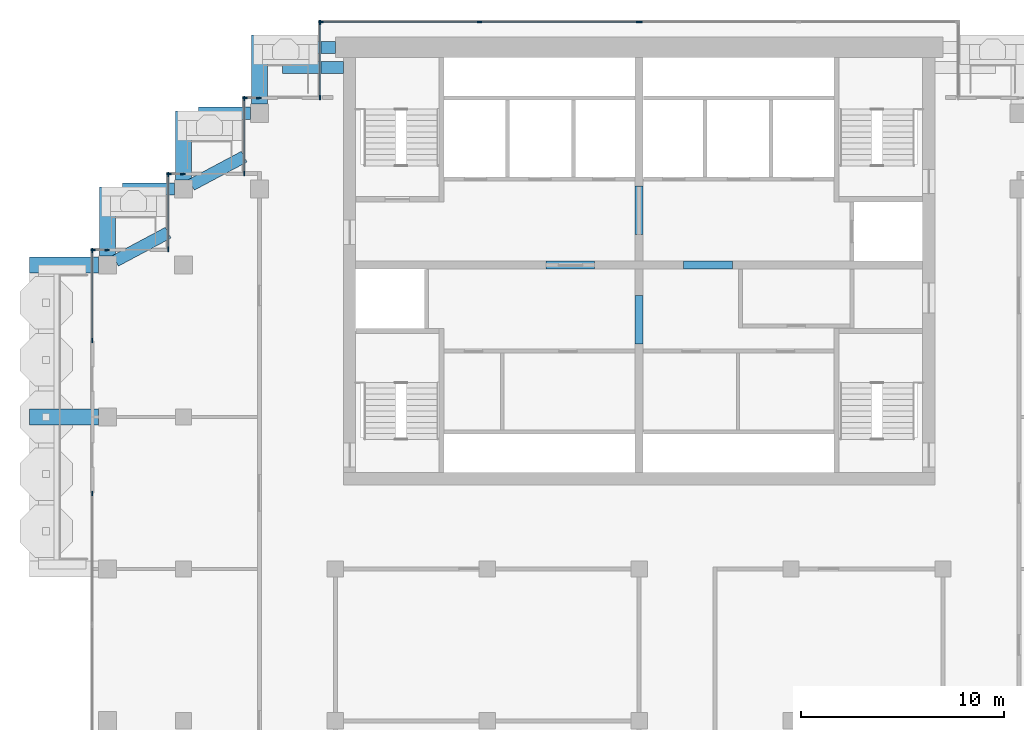
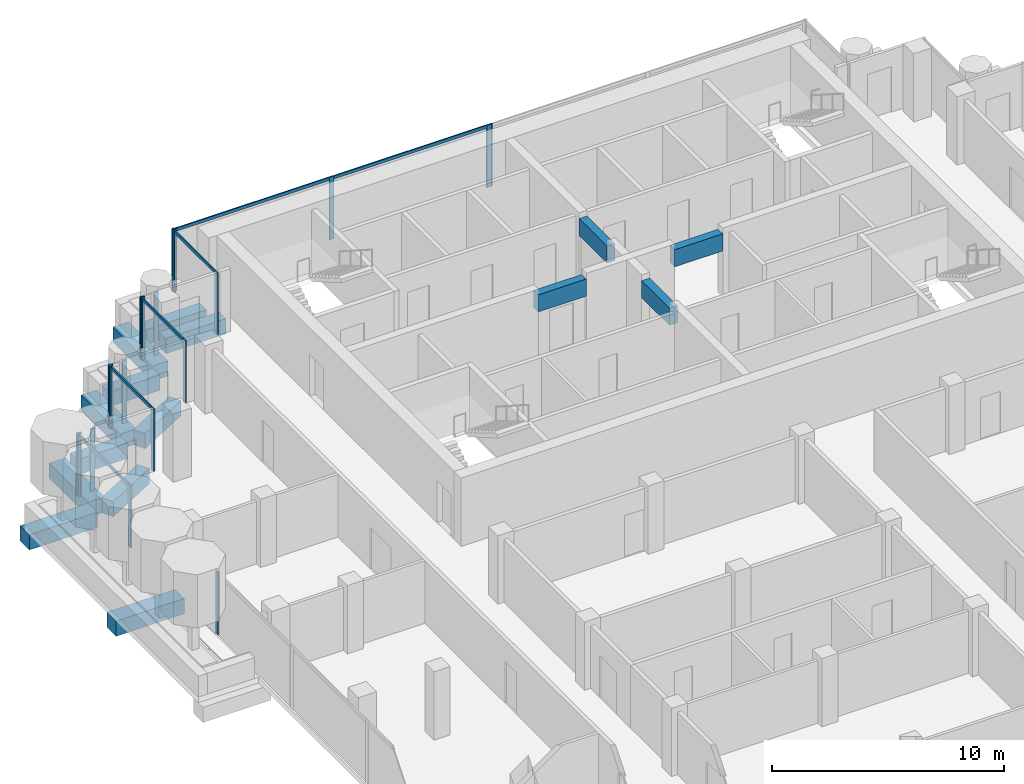
# One storey, part 5 of 18: 25 members, 15 beams, 10 elements without a shape of their own.
"""IFC4 building model written with IfcOpenShell, lengths in metres."""

from ifc_helpers import new_model, si_unit, direction, frame, origin, origin_2d, place, context, subcontext, project, spatial, rectangle, extrude, material, material_profile, profile_set, type_object, element, aggregate, save


model = new_model("IFC4")

# Units and contexts
model_context = context("Model", 3, precision=1e-05, world=origin(), true_north=direction((0.0, 1.0)))
body_context = subcontext(model_context, "Body", "Model", "MODEL_VIEW")
ifc_project = project(units=[si_unit("LENGTHUNIT", "METRE"), si_unit("AREAUNIT", "SQUARE_METRE"), si_unit("VOLUMEUNIT", "CUBIC_METRE"), si_unit("PLANEANGLEUNIT", "RADIAN"), si_unit("MASSUNIT", "GRAM", prefix="KILO")], contexts=[model_context])

# Site, building, storey
site_placement = place(None, origin())
site = spatial("IfcSite", under=ifc_project, at=site_placement, CompositionType="ELEMENT")
building_placement = place(site_placement, origin())
building = spatial("IfcBuilding", under=site, at=building_placement, Name="Pilkhan Gate Tower", CompositionType="ELEMENT")
storey_placement = place(building_placement, frame((0.0, 0.0, 242.699951171875)))
storey = spatial("IfcBuildingStorey", under=building, at=storey_placement, Name="L63", CompositionType="ELEMENT", Elevation=242.699951171875)

# Beams
ifc_material_1 = material(Name="Concrete C50/60", Category="concrete")
ifc_material_profile_1 = material_profile(ifc_material_1, rectangle(XDim=0.60009765625, YDim=0.800048828125, at=origin_2d()), Name="RC 600x800")
ifc_profile_set_1 = profile_set([ifc_material_profile_1], Name="Concrete C50/60")
beam_type_1 = type_object("IfcBeamType", Name="Cantilever beam CB1 RC 600x800 C50/60", PredefinedType="BEAM", material=ifc_profile_set_1)
for number, where, z_axis, x_axis, name in (
    (1, (60.0, 93.25, -0.699951171875), (-1.0, 0.0, 0.0), (0.0, -1.0, 0.0), "Balcony beam NW.2 L63"),
    (2, (60.39990234375, 92.25, -0.699951171875), (-1.0, 0.0, 0.0), (0.0, -1.0, 0.0), "Balcony beam NW.3 L63"),
):
    element("IfcBeam", number, at=place(storey_placement, frame(where, z_axis=z_axis, x_axis=x_axis)), inside=storey, type_object=beam_type_1, Name=name, PredefinedType="BEAM", context=body_context, shape_type="SweptSolid", body=[
        extrude(rectangle(XDim=0.60009765625, YDim=0.800048828125, at=origin_2d()), origin(), (0.0, 0.0, 1.0), 3.0),
    ])
beam_1_placement = place(storey_placement, frame((55.800048828125, 90.0, -0.699951171875), z_axis=(-1.0, 0.0, 0.0), x_axis=(0.0, -1.0, 0.0)))
element("IfcBeam", 3, at=beam_1_placement, inside=storey, type_object=beam_type_1, Name="Balcony beam NW1.2 L63", PredefinedType="BEAM", context=body_context, shape_type="SweptSolid", body=[
    extrude(rectangle(XDim=0.60009765625, YDim=0.800048828125, at=origin_2d()), origin(), (0.0, 0.0, 1.0), 2.550048828125),
])
beam_2_placement = place(storey_placement, frame((52.89697265625, 86.461669921875, -0.699951171875), z_axis=(0.882332323202, 0.470626891957, 0.0), x_axis=(-0.470626891957, 0.882332323202, 0.0)))
element("IfcBeam", 4, at=beam_2_placement, inside=storey, type_object=beam_type_1, Name="Balcony beam NW1.3 L63", PredefinedType="BEAM", context=body_context, shape_type="SweptSolid", body=[
    extrude(rectangle(XDim=0.60009765625, YDim=0.800048828125, at=origin_2d()), origin(), (0.0, 0.0, 1.0), 2.9501953125),
])
beam_3_placement = place(storey_placement, frame((52.050048828125, 86.25, -0.699951171875), z_axis=(-1.0, 0.0, 0.0), x_axis=(0.0, -1.0, 0.0)))
element("IfcBeam", 5, at=beam_3_placement, inside=storey, type_object=beam_type_1, Name="Balcony beam NW2.2 L63", PredefinedType="BEAM", context=body_context, shape_type="SweptSolid", body=[
    extrude(rectangle(XDim=0.60009765625, YDim=0.800048828125, at=origin_2d()), origin(), (0.0, 0.0, 1.0), 2.550048828125),
])
beam_4_placement = place(storey_placement, frame((49.14697265625, 82.711669921875, -0.699951171875), z_axis=(0.882332323202, 0.470626891957, 0.0), x_axis=(-0.470626891957, 0.882332323202, 0.0)))
element("IfcBeam", 6, at=beam_4_placement, inside=storey, type_object=beam_type_1, Name="Balcony beam NW2.3 L63", PredefinedType="BEAM", context=body_context, shape_type="SweptSolid", body=[
    extrude(rectangle(XDim=0.60009765625, YDim=0.800048828125, at=origin_2d()), origin(), (0.0, 0.0, 1.0), 2.9501953125),
])
ifc_material_profile_2 = material_profile(ifc_material_1, rectangle(XDim=0.800048828125, YDim=0.800048828125, at=origin_2d()), Name="RC 800x800")
ifc_profile_set_2 = profile_set([ifc_material_profile_2], Name="Concrete C50/60")
beam_type_2 = type_object("IfcBeamType", Name="Cantilever beam CB2 RC 800x800 C50/60", PredefinedType="BEAM", material=ifc_profile_set_2)
for number, where, z_axis, x_axis, name in (
    (7, (56.25, 90.449951171875, -0.699951171875), (0.0, 1.0, 0.0), (-1.0, 0.0, 0.0), "Balcony beam NW.1 L63"),
    (8, (52.5, 86.699951171875, -0.699951171875), (0.0, 1.0, 0.0), (-1.0, 0.0, 0.0), "Balcony beam NW1.1 L63"),
    (9, (48.75, 82.949951171875, -0.699951171875), (0.0, 1.0, 0.0), (-1.0, 0.0, 0.0), "Balcony beam NW2.1 L63"),
    (10, (48.300048828125, 75.0, -0.699951171875), (-1.0, 0.0, 0.0), (0.0, -1.0, 0.0), "Balcony beam W.2 L63"),
    (11, (48.300048828125, 82.5, -0.699951171875), (-1.0, 0.0, 0.0), (0.0, -1.0, 0.0), "Balcony beam W.3 L63"),
):
    element("IfcBeam", number, at=place(storey_placement, frame(where, z_axis=z_axis, x_axis=x_axis)), inside=storey, type_object=beam_type_2, Name=name, PredefinedType="BEAM", context=body_context, shape_type="SweptSolid", body=[
        extrude(rectangle(XDim=0.800048828125, YDim=0.800048828125, at=origin_2d()), origin(), (0.0, 0.0, 1.0), 3.400146484375),
    ])
ifc_material_profile_3 = material_profile(ifc_material_1, rectangle(XDim=0.39990234375, YDim=0.89990234375, at=origin_2d()), Name="RC 400x900")
ifc_profile_set_3 = profile_set([ifc_material_profile_3], Name="Concrete C50/60")
beam_type_3 = type_object("IfcBeamType", Name="Coupling beam CB90-4 RC 400x900 C50/60", PredefinedType="LINTEL", material=ifc_profile_set_3)
for number, where, z_axis, x_axis, name in (
    (12, (70.39990234375, 82.5, 2.85009765625), (1.0, 0.0, 0.0), (0.0, 1.0, 0.0), "Coupling beam 1 L63"),
    (13, (77.199951171875, 82.5, 2.85009765625), (1.0, 0.0, 0.0), (0.0, 1.0, 0.0), "Coupling beam 2 L63"),
):
    element("IfcBeam", number, at=place(storey_placement, frame(where, z_axis=z_axis, x_axis=x_axis)), inside=storey, type_object=beam_type_3, Name=name, PredefinedType="LINTEL", context=body_context, shape_type="SweptSolid", body=[
        extrude(rectangle(XDim=0.39990234375, YDim=0.89990234375, at=origin_2d()), origin(), (0.0, 0.0, 1.0), 2.400146484375),
    ])
for number, where, z_axis, x_axis, name in (
    (14, (75.0, 78.60009765625, 2.85009765625), (0.0, 1.0, 0.0), (-1.0, 0.0, 0.0), "Coupling beam 3 L63"),
    (15, (75.0, 84.0, 2.85009765625), (0.0, 1.0, 0.0), (-1.0, 0.0, 0.0), "Coupling beam 4 L63"),
):
    element("IfcBeam", number, at=place(storey_placement, frame(where, z_axis=z_axis, x_axis=x_axis)), inside=storey, type_object=beam_type_3, Name=name, PredefinedType="LINTEL", context=body_context, shape_type="SweptSolid", body=[
        extrude(rectangle(XDim=0.39990234375, YDim=0.89990234375, at=origin_2d()), origin(), (0.0, 0.0, 1.0), 2.39990234375),
    ])

# Curtain wall, members
ifc_material_2 = material(Name="Pale anodised aluminium, clear low-iron double glazing", Category="aluminium")
curtain_wall_type = type_object("IfcCurtainWallType", Name="Office unitised curtain wall CW-O2", PredefinedType="USERDEFINED", material=ifc_material_2)
curtain_wall_1_placement = place(storey_placement, origin())
curtain_wall_1 = element("IfcCurtainWall", 16, at=curtain_wall_1_placement, inside=storey, type_object=curtain_wall_type, Name="Office unitised curtain wall CW-O2 L63 N", ObjectType="UNITISED CURTAIN WALL", PredefinedType="USERDEFINED")
ifc_material_3 = material(Name="Pale anodised aluminium", Category="aluminium")
ifc_material_profile_4 = material_profile(ifc_material_3, rectangle(XDim=0.06494140625, YDim=0.22509765625, at=origin_2d()), Name="Mullion 225x65")
ifc_profile_set_4 = profile_set([ifc_material_profile_4], Name="Pale anodised aluminium")
member_type_1 = type_object("IfcMemberType", Name="Mullion CW-O2 225x65", PredefinedType="MULLION", material=ifc_profile_set_4)
member_1_placement = place(storey_placement, frame((59.282470703125, 94.5, 0.0), z_axis=(0.0, 0.0, 1.0), x_axis=(0.0, 1.0, 0.0)))
member_1 = element("IfcMember", 17, at=member_1_placement, type_object=member_type_1, Name="CW-O2 mullion 1", PredefinedType="MULLION", context=body_context, shape_type="SweptSolid", body=[
    extrude(rectangle(XDim=0.06494140625, YDim=0.22509765625, at=origin_2d()), origin(), (0.0, 0.0, 1.0), 3.300048828125),
])
member_2_placement = place(storey_placement, frame((67.125, 94.5, 0.0), z_axis=(0.0, 0.0, 1.0), x_axis=(0.0, 1.0, 0.0)))
member_2 = element("IfcMember", 18, at=member_2_placement, type_object=member_type_1, Name="CW-O2 mullion 2", PredefinedType="MULLION", context=body_context, shape_type="SweptSolid", body=[
    extrude(rectangle(XDim=0.06494140625, YDim=0.22509765625, at=origin_2d()), origin(), (0.0, 0.0, 1.0), 3.300048828125),
])
member_3_placement = place(storey_placement, frame((74.967529296875, 94.5, 0.0), z_axis=(0.0, 0.0, 1.0), x_axis=(0.0, 1.0, 0.0)))
member_3 = element("IfcMember", 19, at=member_3_placement, type_object=member_type_1, Name="CW-O2 mullion 3", PredefinedType="MULLION", context=body_context, shape_type="SweptSolid", body=[
    extrude(rectangle(XDim=0.06494140625, YDim=0.22509765625, at=origin_2d()), origin(), (0.0, 0.0, 1.0), 3.300048828125),
])

# Curtain wall, member
curtain_wall_2_placement = place(storey_placement, origin())
curtain_wall_2 = element("IfcCurtainWall", 20, at=curtain_wall_2_placement, inside=storey, type_object=curtain_wall_type, Name="Office unitised curtain wall CW-O2 L63 N", ObjectType="UNITISED CURTAIN WALL", PredefinedType="USERDEFINED")
member_4_placement = place(storey_placement, frame((75.032470703125, 94.5, 0.0), z_axis=(0.0, 0.0, 1.0), x_axis=(0.0, 1.0, 0.0)))
member_4 = element("IfcMember", 21, at=member_4_placement, type_object=member_type_1, Name="CW-O2 mullion 1", PredefinedType="MULLION", context=body_context, shape_type="SweptSolid", body=[
    extrude(rectangle(XDim=0.06494140625, YDim=0.22509765625, at=origin_2d()), origin(), (0.0, 0.0, 1.0), 3.300048828125),
])
aggregate(curtain_wall_2, [member_4])

# Curtain wall, members
curtain_wall_3_placement = place(storey_placement, origin())
curtain_wall_3 = element("IfcCurtainWall", 22, at=curtain_wall_3_placement, inside=storey, type_object=curtain_wall_type, Name="Office unitised curtain wall CW-O2 L63 W", ObjectType="UNITISED CURTAIN WALL", PredefinedType="USERDEFINED")
member_5_placement = place(storey_placement, frame((59.25, 90.782470703125, 0.0), z_axis=(0.0, 0.0, 1.0), x_axis=(-1.0, 0.0, 0.0)))
member_5 = element("IfcMember", 23, at=member_5_placement, type_object=member_type_1, Name="CW-O2 mullion 1", PredefinedType="MULLION", context=body_context, shape_type="SweptSolid", body=[
    extrude(rectangle(XDim=0.06494140625, YDim=0.22509765625, at=origin_2d()), origin(), (0.0, 0.0, 1.0), 3.300048828125),
])
member_6_placement = place(storey_placement, frame((59.25, 94.467529296875, 0.0), z_axis=(0.0, 0.0, 1.0), x_axis=(-1.0, 0.0, 0.0)))
member_6 = element("IfcMember", 24, at=member_6_placement, type_object=member_type_1, Name="CW-O2 mullion 2", PredefinedType="MULLION", context=body_context, shape_type="SweptSolid", body=[
    extrude(rectangle(XDim=0.06494140625, YDim=0.22509765625, at=origin_2d()), origin(), (0.0, 0.0, 1.0), 3.300048828125),
])

curtain_wall_4_placement = place(storey_placement, origin())
curtain_wall_4 = element("IfcCurtainWall", 25, at=curtain_wall_4_placement, inside=storey, type_object=curtain_wall_type, Name="Office unitised curtain wall CW-O2 L63 N", ObjectType="UNITISED CURTAIN WALL", PredefinedType="USERDEFINED")
member_7_placement = place(storey_placement, frame((55.532470703125, 90.75, 0.0), z_axis=(0.0, 0.0, 1.0), x_axis=(0.0, 1.0, 0.0)))
member_7 = element("IfcMember", 26, at=member_7_placement, type_object=member_type_1, Name="CW-O2 mullion 1", PredefinedType="MULLION", context=body_context, shape_type="SweptSolid", body=[
    extrude(rectangle(XDim=0.06494140625, YDim=0.22509765625, at=origin_2d()), origin(), (0.0, 0.0, 1.0), 3.300048828125),
])
member_8_placement = place(storey_placement, frame((56.217529296875, 90.75, 0.0), z_axis=(0.0, 0.0, 1.0), x_axis=(0.0, 1.0, 0.0)))
member_8 = element("IfcMember", 27, at=member_8_placement, type_object=member_type_1, Name="CW-O2 mullion 2", PredefinedType="MULLION", context=body_context, shape_type="SweptSolid", body=[
    extrude(rectangle(XDim=0.06494140625, YDim=0.22509765625, at=origin_2d()), origin(), (0.0, 0.0, 1.0), 3.300048828125),
])
aggregate(curtain_wall_4, [member_7, member_8])

curtain_wall_5_placement = place(storey_placement, origin())
curtain_wall_5 = element("IfcCurtainWall", 28, at=curtain_wall_5_placement, inside=storey, type_object=curtain_wall_type, Name="Office unitised curtain wall CW-O2 L63 W", ObjectType="UNITISED CURTAIN WALL", PredefinedType="USERDEFINED")
member_9_placement = place(storey_placement, frame((55.5, 87.032470703125, 0.0), z_axis=(0.0, 0.0, 1.0), x_axis=(-1.0, 0.0, 0.0)))
member_9 = element("IfcMember", 29, at=member_9_placement, type_object=member_type_1, Name="CW-O2 mullion 1", PredefinedType="MULLION", context=body_context, shape_type="SweptSolid", body=[
    extrude(rectangle(XDim=0.06494140625, YDim=0.22509765625, at=origin_2d()), origin(), (0.0, 0.0, 1.0), 3.300048828125),
])
member_10_placement = place(storey_placement, frame((55.5, 90.717529296875, 0.0), z_axis=(0.0, 0.0, 1.0), x_axis=(-1.0, 0.0, 0.0)))
member_10 = element("IfcMember", 30, at=member_10_placement, type_object=member_type_1, Name="CW-O2 mullion 2", PredefinedType="MULLION", context=body_context, shape_type="SweptSolid", body=[
    extrude(rectangle(XDim=0.06494140625, YDim=0.22509765625, at=origin_2d()), origin(), (0.0, 0.0, 1.0), 3.300048828125),
])

curtain_wall_6_placement = place(storey_placement, origin())
curtain_wall_6 = element("IfcCurtainWall", 31, at=curtain_wall_6_placement, inside=storey, type_object=curtain_wall_type, Name="Office unitised curtain wall CW-O2 L63 N", ObjectType="UNITISED CURTAIN WALL", PredefinedType="USERDEFINED")
member_11_placement = place(storey_placement, frame((51.782470703125, 87.0, 0.0), z_axis=(0.0, 0.0, 1.0), x_axis=(0.0, 1.0, 0.0)))
member_11 = element("IfcMember", 32, at=member_11_placement, type_object=member_type_1, Name="CW-O2 mullion 1", PredefinedType="MULLION", context=body_context, shape_type="SweptSolid", body=[
    extrude(rectangle(XDim=0.06494140625, YDim=0.22509765625, at=origin_2d()), origin(), (0.0, 0.0, 1.0), 3.300048828125),
])
member_12_placement = place(storey_placement, frame((52.467529296875, 87.0, 0.0), z_axis=(0.0, 0.0, 1.0), x_axis=(0.0, 1.0, 0.0)))
member_12 = element("IfcMember", 33, at=member_12_placement, type_object=member_type_1, Name="CW-O2 mullion 2", PredefinedType="MULLION", context=body_context, shape_type="SweptSolid", body=[
    extrude(rectangle(XDim=0.06494140625, YDim=0.22509765625, at=origin_2d()), origin(), (0.0, 0.0, 1.0), 3.300048828125),
])
aggregate(curtain_wall_6, [member_11, member_12])

curtain_wall_7_placement = place(storey_placement, origin())
curtain_wall_7 = element("IfcCurtainWall", 34, at=curtain_wall_7_placement, inside=storey, type_object=curtain_wall_type, Name="Office unitised curtain wall CW-O2 L63 W", ObjectType="UNITISED CURTAIN WALL", PredefinedType="USERDEFINED")
member_13_placement = place(storey_placement, frame((51.75, 83.282470703125, 0.0), z_axis=(0.0, 0.0, 1.0), x_axis=(-1.0, 0.0, 0.0)))
member_13 = element("IfcMember", 35, at=member_13_placement, type_object=member_type_1, Name="CW-O2 mullion 1", PredefinedType="MULLION", context=body_context, shape_type="SweptSolid", body=[
    extrude(rectangle(XDim=0.06494140625, YDim=0.22509765625, at=origin_2d()), origin(), (0.0, 0.0, 1.0), 3.300048828125),
])
member_14_placement = place(storey_placement, frame((51.75, 86.967529296875, 0.0), z_axis=(0.0, 0.0, 1.0), x_axis=(-1.0, 0.0, 0.0)))
member_14 = element("IfcMember", 36, at=member_14_placement, type_object=member_type_1, Name="CW-O2 mullion 2", PredefinedType="MULLION", context=body_context, shape_type="SweptSolid", body=[
    extrude(rectangle(XDim=0.06494140625, YDim=0.22509765625, at=origin_2d()), origin(), (0.0, 0.0, 1.0), 3.300048828125),
])

curtain_wall_8_placement = place(storey_placement, origin())
curtain_wall_8 = element("IfcCurtainWall", 37, at=curtain_wall_8_placement, inside=storey, type_object=curtain_wall_type, Name="Office unitised curtain wall CW-O2 L63 N", ObjectType="UNITISED CURTAIN WALL", PredefinedType="USERDEFINED")
member_15_placement = place(storey_placement, frame((48.032470703125, 83.25, 0.0), z_axis=(0.0, 0.0, 1.0), x_axis=(0.0, 1.0, 0.0)))
member_15 = element("IfcMember", 38, at=member_15_placement, type_object=member_type_1, Name="CW-O2 mullion 1", PredefinedType="MULLION", context=body_context, shape_type="SweptSolid", body=[
    extrude(rectangle(XDim=0.06494140625, YDim=0.22509765625, at=origin_2d()), origin(), (0.0, 0.0, 1.0), 3.300048828125),
])
member_16_placement = place(storey_placement, frame((48.717529296875, 83.25, 0.0), z_axis=(0.0, 0.0, 1.0), x_axis=(0.0, 1.0, 0.0)))
member_16 = element("IfcMember", 39, at=member_16_placement, type_object=member_type_1, Name="CW-O2 mullion 2", PredefinedType="MULLION", context=body_context, shape_type="SweptSolid", body=[
    extrude(rectangle(XDim=0.06494140625, YDim=0.22509765625, at=origin_2d()), origin(), (0.0, 0.0, 1.0), 3.300048828125),
])
aggregate(curtain_wall_8, [member_15, member_16])

# Curtain wall, member
curtain_wall_9_placement = place(storey_placement, origin())
curtain_wall_9 = element("IfcCurtainWall", 40, at=curtain_wall_9_placement, inside=storey, type_object=curtain_wall_type, Name="Office unitised curtain wall CW-O2 L63 W", ObjectType="UNITISED CURTAIN WALL", PredefinedType="USERDEFINED")
member_17_placement = place(storey_placement, frame((48.0, 71.217529296875, 0.0), z_axis=(0.0, 0.0, 1.0), x_axis=(-1.0, 0.0, 0.0)))
member_17 = element("IfcMember", 41, at=member_17_placement, type_object=member_type_1, Name="CW-O2 mullion 2", PredefinedType="MULLION", context=body_context, shape_type="SweptSolid", body=[
    extrude(rectangle(XDim=0.06494140625, YDim=0.22509765625, at=origin_2d()), origin(), (0.0, 0.0, 1.0), 3.300048828125),
])
aggregate(curtain_wall_9, [member_17])

# Curtain wall, members
curtain_wall_10_placement = place(storey_placement, origin())
curtain_wall_10 = element("IfcCurtainWall", 42, at=curtain_wall_10_placement, inside=storey, type_object=curtain_wall_type, Name="Office unitised curtain wall CW-O2 L63 W", ObjectType="UNITISED CURTAIN WALL", PredefinedType="USERDEFINED")
member_18_placement = place(storey_placement, frame((48.0, 78.782470703125, 0.0), z_axis=(0.0, 0.0, 1.0), x_axis=(-1.0, 0.0, 0.0)))
member_18 = element("IfcMember", 43, at=member_18_placement, type_object=member_type_1, Name="CW-O2 mullion 1", PredefinedType="MULLION", context=body_context, shape_type="SweptSolid", body=[
    extrude(rectangle(XDim=0.06494140625, YDim=0.22509765625, at=origin_2d()), origin(), (0.0, 0.0, 1.0), 3.300048828125),
])
member_19_placement = place(storey_placement, frame((48.0, 83.217529296875, 0.0), z_axis=(0.0, 0.0, 1.0), x_axis=(-1.0, 0.0, 0.0)))
member_19 = element("IfcMember", 44, at=member_19_placement, type_object=member_type_1, Name="CW-O2 mullion 2", PredefinedType="MULLION", context=body_context, shape_type="SweptSolid", body=[
    extrude(rectangle(XDim=0.06494140625, YDim=0.22509765625, at=origin_2d()), origin(), (0.0, 0.0, 1.0), 3.300048828125),
])

# Member
ifc_material_profile_5 = material_profile(ifc_material_3, rectangle(XDim=0.06494140625, YDim=0.1650390625, at=origin_2d()), Name="Transom 165x65")
ifc_profile_set_5 = profile_set([ifc_material_profile_5], Name="Pale anodised aluminium")
member_type_2 = type_object("IfcMemberType", Name="Transom CW-O2 165x65", PredefinedType="USERDEFINED", material=ifc_profile_set_5)
member_20_placement = place(storey_placement, frame((59.31494140625, 94.5, 3.217529296875), z_axis=(1.0, 0.0, 0.0), x_axis=(0.0, 1.0, 0.0)))
member_20 = element("IfcMember", 45, at=member_20_placement, type_object=member_type_2, Name="CW-O2 transom 1", ObjectType="TRANSOM", PredefinedType="USERDEFINED", context=body_context, shape_type="SweptSolid", body=[
    extrude(rectangle(XDim=0.06494140625, YDim=0.1650390625, at=origin_2d()), origin(), (0.0, 0.0, 1.0), 7.777587890625),
])

member_21_placement = place(storey_placement, frame((67.157470703125, 94.5, 3.217529296875), z_axis=(1.0, 0.0, 0.0), x_axis=(0.0, 1.0, 0.0)))
member_21 = element("IfcMember", 46, at=member_21_placement, type_object=member_type_2, Name="CW-O2 transom 2", ObjectType="TRANSOM", PredefinedType="USERDEFINED", context=body_context, shape_type="SweptSolid", body=[
    extrude(rectangle(XDim=0.06494140625, YDim=0.1650390625, at=origin_2d()), origin(), (0.0, 0.0, 1.0), 7.777587890625),
])

aggregate(curtain_wall_1, [member_1, member_2, member_3, member_20, member_21])

member_22_placement = place(storey_placement, frame((59.25, 90.81494140625, 3.217529296875), z_axis=(0.0, 1.0, 0.0), x_axis=(-1.0, 0.0, 0.0)))
member_22 = element("IfcMember", 47, at=member_22_placement, type_object=member_type_2, Name="CW-O2 transom 1", ObjectType="TRANSOM", PredefinedType="USERDEFINED", context=body_context, shape_type="SweptSolid", body=[
    extrude(rectangle(XDim=0.06494140625, YDim=0.1650390625, at=origin_2d()), origin(), (0.0, 0.0, 1.0), 3.6201171875),
])

aggregate(curtain_wall_3, [member_5, member_6, member_22])

member_23_placement = place(storey_placement, frame((55.5, 87.06494140625, 3.217529296875), z_axis=(0.0, 1.0, 0.0), x_axis=(-1.0, 0.0, 0.0)))
member_23 = element("IfcMember", 48, at=member_23_placement, type_object=member_type_2, Name="CW-O2 transom 1", ObjectType="TRANSOM", PredefinedType="USERDEFINED", context=body_context, shape_type="SweptSolid", body=[
    extrude(rectangle(XDim=0.06494140625, YDim=0.1650390625, at=origin_2d()), origin(), (0.0, 0.0, 1.0), 3.6201171875),
])

aggregate(curtain_wall_5, [member_9, member_10, member_23])

member_24_placement = place(storey_placement, frame((51.75, 83.31494140625, 3.217529296875), z_axis=(0.0, 1.0, 0.0), x_axis=(-1.0, 0.0, 0.0)))
member_24 = element("IfcMember", 49, at=member_24_placement, type_object=member_type_2, Name="CW-O2 transom 1", ObjectType="TRANSOM", PredefinedType="USERDEFINED", context=body_context, shape_type="SweptSolid", body=[
    extrude(rectangle(XDim=0.06494140625, YDim=0.1650390625, at=origin_2d()), origin(), (0.0, 0.0, 1.0), 3.6201171875),
])

aggregate(curtain_wall_7, [member_13, member_14, member_24])

member_25_placement = place(storey_placement, frame((48.0, 78.81494140625, 3.217529296875), z_axis=(0.0, 1.0, 0.0), x_axis=(-1.0, 0.0, 0.0)))
member_25 = element("IfcMember", 50, at=member_25_placement, type_object=member_type_2, Name="CW-O2 transom 1", ObjectType="TRANSOM", PredefinedType="USERDEFINED", context=body_context, shape_type="SweptSolid", body=[
    extrude(rectangle(XDim=0.06494140625, YDim=0.1650390625, at=origin_2d()), origin(), (0.0, 0.0, 1.0), 4.3701171875),
])

aggregate(curtain_wall_10, [member_18, member_19, member_25])

save(model, "model.ifc")
